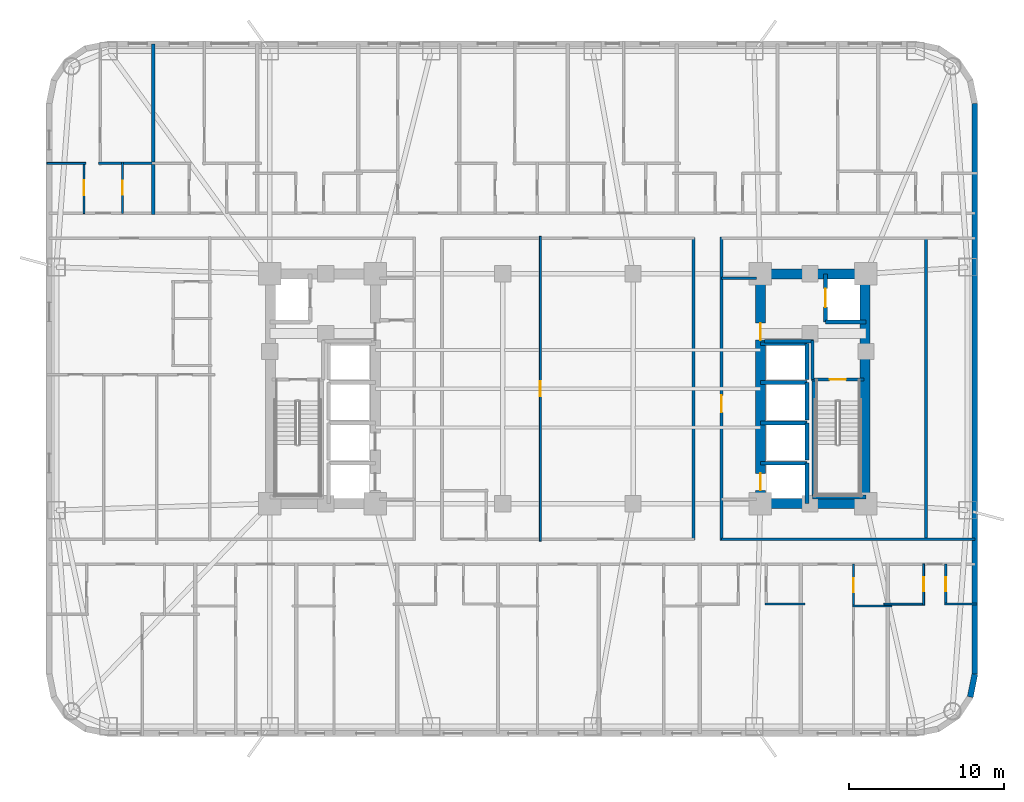
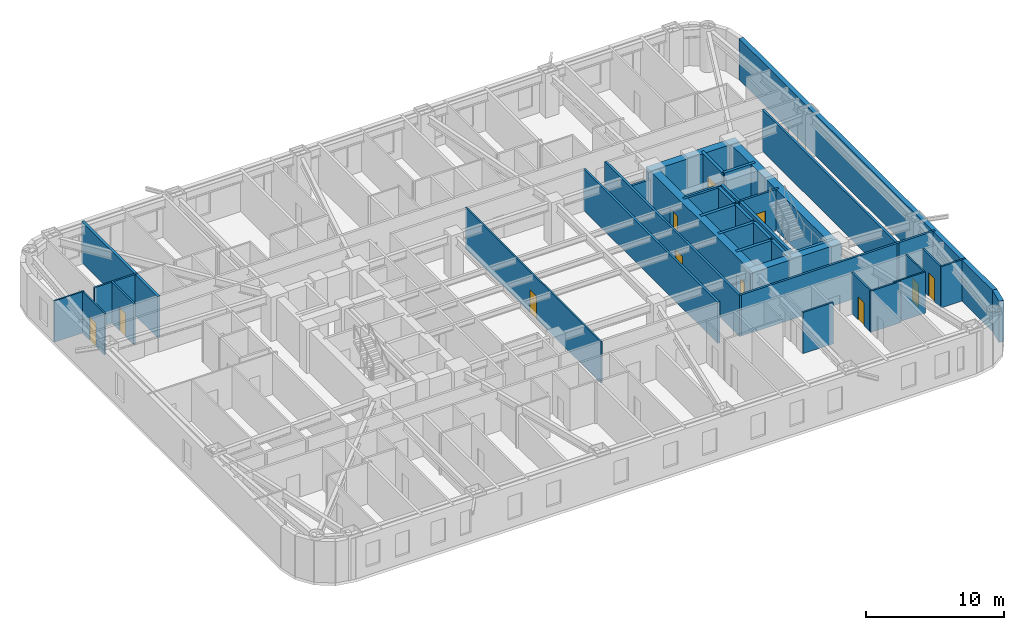
# One storey, part 6 of 11: 39 walls, 11 doors, 11 openings.
"""IFC4 building model written with IfcOpenShell, lengths in metres."""

from ifc_helpers import new_model, si_unit, direction, frame, frame_2d, origin, place, context, subcontext, project, spatial, rectangle, extrude, material, layer, layer_set, type_object, element, fill, save


model = new_model("IFC4")

# Units and contexts
model_context = context("Model", 3, precision=1e-05, world=origin(), true_north=direction((0.0, 1.0)))
body_context = subcontext(model_context, "Body", "Model", "MODEL_VIEW")
ifc_project = project(units=[si_unit("LENGTHUNIT", "METRE"), si_unit("AREAUNIT", "SQUARE_METRE"), si_unit("VOLUMEUNIT", "CUBIC_METRE"), si_unit("PLANEANGLEUNIT", "RADIAN"), si_unit("MASSUNIT", "GRAM", prefix="KILO")], contexts=[model_context])

# Site, building, storey
site_placement = place(None, origin())
site = spatial("IfcSite", under=ifc_project, at=site_placement, CompositionType="ELEMENT")
building_placement = place(site_placement, origin())
building = spatial("IfcBuilding", under=site, at=building_placement, Name="Voryun Gate Residences", CompositionType="ELEMENT")
storey_placement = place(building_placement, frame((0.0, 0.0, 49.39990234375)))
storey = spatial("IfcBuildingStorey", under=building, at=storey_placement, Name="L11", CompositionType="ELEMENT", Elevation=49.39990234375)

# Walls
ifc_material_1 = material(Name="Concrete C60/75", Category="concrete")
ifc_layer_1 = layer(ifc_material_1, 0.64990234375, Name="CW_CORE_650")
ifc_layer_set_1 = layer_set([ifc_layer_1], Name="Concrete C60/75")
wall_type_1 = type_object("IfcWallType", Name="CW_CORE_650", PredefinedType="SHEAR", material=ifc_layer_set_1)
for number, where, z_axis, x_axis, name in (
    (1, (12.074951171875, -7.39990234375, 0.0), (0.0, 0.0, 1.0), (1.0, 0.0, 0.0), "L11 Core shear wall CW-L11-ES"),
    (2, (12.074951171875, 7.39990234375, 0.0), (0.0, 0.0, 1.0), (1.0, 0.0, 0.0), "L11 Core shear wall CW-L11-EN"),
):
    element("IfcWall", number, at=place(storey_placement, frame(where, z_axis=z_axis, x_axis=x_axis)), inside=storey, type_object=wall_type_1, Name=name, PredefinedType="SHEAR", context=body_context, shape_type="SweptSolid", body=[
        extrude(rectangle(XDim=7.449951171875, YDim=0.64990234375, at=frame_2d((3.72509765625, 0.0))), origin(), (0.0, 0.0, 1.0), 3.650146484375),
    ])

# Wall, openings, doors
wall_1_placement = place(storey_placement, frame((12.39990234375, -7.39990234375, 0.0), z_axis=(0.0, 0.0, 1.0), x_axis=(0.0, 1.0, 0.0)))
wall_1 = element("IfcWall", 3, at=wall_1_placement, inside=storey, type_object=wall_type_1, Name="L11 Core shear wall CW-L11-EW", PredefinedType="SHEAR", context=body_context, shape_type="SweptSolid", body=[
    extrude(rectangle(XDim=14.7998046875, YDim=0.64990234375, at=frame_2d((7.39990234375, 0.0))), origin(), (0.0, 0.0, 1.0), 3.650146484375),
])
opening_1_placement = place(wall_1_placement, frame((0.85009765625, 0.0, 0.0)))
opening_1 = element("IfcOpeningElement", 4, at=opening_1_placement, cuts=wall_1, Name="Opening LD2", PredefinedType="OPENING", context=body_context, shape_type="SweptSolid", body=[
    extrude(rectangle(XDim=1.10009765625, YDim=2.050048828125, at=frame_2d((0.550048828125, 1.02490234375))), frame((0.0, 0.3349609375, 0.0), z_axis=(0.0, -1.0, 0.0), x_axis=(1.0, 0.0, 0.0)), (0.0, 0.0, 1.0), 0.669921875),
])
opening_2_placement = place(wall_1_placement, frame((10.530029296875, 0.0, 0.0)))
opening_2 = element("IfcOpeningElement", 5, at=opening_2_placement, cuts=wall_1, Name="Opening D-FD60-2", PredefinedType="OPENING", context=body_context, shape_type="SweptSolid", body=[
    extrude(rectangle(XDim=1.10009765625, YDim=2.050048828125, at=frame_2d((0.550048828125, 1.02490234375))), frame((0.0, 0.3349609375, 0.0), z_axis=(0.0, -1.0, 0.0), x_axis=(1.0, 0.0, 0.0)), (0.0, 0.0, 1.0), 0.669921875),
])
ifc_material_2 = material(Name="Painted steel fire door", Category="steel")
door_type_1 = type_object("IfcDoorType", Name="DR_FD60_FFLOB_1100", OperationType="NOTDEFINED", PredefinedType="DOOR", material=ifc_material_2)
door_1_placement = place(opening_2_placement, origin())
door_1 = element("IfcDoor", 6, at=door_1_placement, inside=storey, type_object=door_type_1, Name="Door DR-L11-CLOB-E", OperationType="SINGLE_SWING_RIGHT", OverallHeight=2.050048828125, OverallWidth=1.10009765625, PredefinedType="DOOR", context=body_context, shape_type="SweptSolid", body=[
    extrude(rectangle(XDim=1.10009765625, YDim=2.050048828125, at=frame_2d((0.550048828125, 1.02490234375))), frame((0.0, 0.02490234375, 0.0), z_axis=(0.0, -1.0, 0.0), x_axis=(1.0, 0.0, 0.0)), (0.0, 0.0, 1.0), 0.050048828125),
])
fill(opening_2, door_1)
ifc_material_3 = material(Name="Anodised aluminium", Category="aluminium")
door_type_2 = type_object("IfcDoorType", Name="DR_LD_PASS_1100", OperationType="NOTDEFINED", PredefinedType="DOOR", material=ifc_material_3)
door_2_placement = place(opening_1_placement, origin())
door_2 = element("IfcDoor", 7, at=door_2_placement, inside=storey, type_object=door_type_2, Name="Lift EL-P3 sliding landing door L11", OperationType="SLIDING_TO_LEFT", OverallHeight=2.050048828125, OverallWidth=1.10009765625, PredefinedType="DOOR", context=body_context, shape_type="SweptSolid", body=[
    extrude(rectangle(XDim=1.10009765625, YDim=2.050048828125, at=frame_2d((0.550048828125, 1.02490234375))), frame((0.0, 0.02490234375, 0.0), z_axis=(0.0, -1.0, 0.0), x_axis=(1.0, 0.0, 0.0)), (0.0, 0.0, 1.0), 0.050048828125),
])
fill(opening_1, door_2)

# Wall
wall_2_placement = place(storey_placement, frame((19.14501953125, -7.39990234375, 0.0), z_axis=(0.0, 0.0, 1.0), x_axis=(0.0, 1.0, 0.0)))
element("IfcWall", 8, at=wall_2_placement, inside=storey, type_object=wall_type_1, Name="L11 Core shear wall CW-L11-EE", PredefinedType="SHEAR", context=body_context, shape_type="SweptSolid", body=[
    extrude(rectangle(XDim=14.7998046875, YDim=0.64990234375, at=frame_2d((7.39990234375, 0.0))), origin(), (0.0, 0.0, 1.0), 3.650146484375),
])

# Wall, opening, door
ifc_material_4 = material(Name="Gypsum acoustic fireboard")
ifc_layer_2 = layer(ifc_material_4, 0.179931640625, Name="W_CORR_RATED_180")
ifc_layer_set_2 = layer_set([ifc_layer_2], Name="Gypsum acoustic fireboard")
wall_type_2 = type_object("IfcWallType", Name="W_CORR_RATED_180", PredefinedType="PARTITIONING", material=ifc_layer_set_2)
wall_3_placement = place(storey_placement, frame((15.699951171875, 0.60009765625, 0.0), z_axis=(0.0, 0.0, 1.0), x_axis=(1.0, 0.0, 0.0)))
wall_3 = element("IfcWall", 9, at=wall_3_placement, inside=storey, type_object=wall_type_2, Name="Partition wall WP-L11-STV-E", PredefinedType="PARTITIONING", context=body_context, shape_type="SweptSolid", body=[
    extrude(rectangle(XDim=3.360107421875, YDim=0.179931640625, at=frame_2d((1.68017578125, 0.0))), origin(), (0.0, 0.0, 1.0), 3.650146484375),
])
opening_3_placement = place(wall_3_placement, frame((1.155029296875, 0.0, 0.0)))
opening_3 = element("IfcOpeningElement", 10, at=opening_3_placement, cuts=wall_3, Name="Opening D-FD60-1", PredefinedType="OPENING", context=body_context, shape_type="SweptSolid", body=[
    extrude(rectangle(XDim=1.050048828125, YDim=2.050048828125, at=frame_2d((0.52490234375, 1.02490234375))), frame((0.0, 0.099853515625, 0.0), z_axis=(0.0, -1.0, 0.0), x_axis=(1.0, 0.0, 0.0)), (0.0, 0.0, 1.0), 0.199951171875),
])
ifc_material_5 = material(Name="Painted steel fire door", Category="steel")
door_type_3 = type_object("IfcDoorType", Name="DR_FD60_STAIR_1050", OperationType="NOTDEFINED", PredefinedType="DOOR", material=ifc_material_5)
door_3_placement = place(opening_3_placement, origin())
door_3 = element("IfcDoor", 11, at=door_3_placement, inside=storey, type_object=door_type_3, Name="Door DR-L11-ST-E", OperationType="SINGLE_SWING_RIGHT", OverallHeight=2.050048828125, OverallWidth=1.050048828125, PredefinedType="DOOR", context=body_context, shape_type="SweptSolid", body=[
    extrude(rectangle(XDim=1.050048828125, YDim=2.050048828125, at=frame_2d((0.52490234375, 1.02490234375))), frame((0.0, 0.02490234375, 0.0), z_axis=(0.0, -1.0, 0.0), x_axis=(1.0, 0.0, 0.0)), (0.0, 0.0, 1.0), 0.050048828125),
])
fill(opening_3, door_3)

# Wall
wall_4_placement = place(storey_placement, frame((9.8798828125, 7.1201171875, 0.0), z_axis=(0.0, 0.0, 1.0), x_axis=(1.0, 0.0, 0.0)))
element("IfcWall", 12, at=wall_4_placement, inside=storey, type_object=wall_type_2, Name="Partition wall WP-L11-PLBN-E", PredefinedType="PARTITIONING", context=body_context, shape_type="SweptSolid", body=[
    extrude(rectangle(XDim=2.27001953125, YDim=0.179931640625, at=frame_2d((1.135009765625, 0.0))), origin(), (0.0, 0.0, 1.0), 2.940185546875),
])

# Wall, opening, door
wall_5_placement = place(storey_placement, frame((9.89990234375, -9.780029296875, 0.0), z_axis=(0.0, 0.0, 1.0), x_axis=(0.0, 1.0, 0.0)))
wall_5 = element("IfcWall", 13, at=wall_5_placement, inside=storey, type_object=wall_type_2, Name="Partition wall WP-L11-PLBE-FULL", PredefinedType="PARTITIONING", context=body_context, shape_type="SweptSolid", body=[
    extrude(rectangle(XDim=19.56005859375, YDim=0.179931640625, at=frame_2d((9.780029296875, 0.0))), origin(), (0.0, 0.0, 1.0), 3.650146484375),
])
opening_4_placement = place(wall_5_placement, frame((8.251953125, 0.0, 0.0)))
opening_4 = element("IfcOpeningElement", 14, at=opening_4_placement, cuts=wall_5, Name="Opening D-FD60-2", PredefinedType="OPENING", context=body_context, shape_type="SweptSolid", body=[
    extrude(rectangle(XDim=1.10009765625, YDim=2.050048828125, at=frame_2d((0.550048828125, 1.02490234375))), frame((0.0, 0.099853515625, 0.0), z_axis=(0.0, -1.0, 0.0), x_axis=(1.0, 0.0, 0.0)), (0.0, 0.0, 1.0), 0.199951171875),
])
door_4_placement = place(opening_4_placement, origin())
door_4 = element("IfcDoor", 15, at=door_4_placement, inside=storey, type_object=door_type_1, Name="Door DR-L11-PLBE-COR", OperationType="SINGLE_SWING_RIGHT", OverallHeight=2.050048828125, OverallWidth=1.10009765625, PredefinedType="DOOR", context=body_context, shape_type="SweptSolid", body=[
    extrude(rectangle(XDim=1.10009765625, YDim=2.050048828125, at=frame_2d((0.550048828125, 1.02490234375))), frame((0.0, 0.02490234375, 0.0), z_axis=(0.0, -1.0, 0.0), x_axis=(1.0, 0.0, 0.0)), (0.0, 0.0, 1.0), 0.050048828125),
])
fill(opening_4, door_4)

# Walls
wall_6_placement = place(storey_placement, frame((9.8798828125, -9.68994140625, 0.0), z_axis=(0.0, 0.0, 1.0), x_axis=(1.0, 0.0, 0.0)))
element("IfcWall", 16, at=wall_6_placement, inside=storey, type_object=wall_type_2, Name="Partition wall WP-L11-CWING-ES", PredefinedType="PARTITIONING", context=body_context, shape_type="SweptSolid", body=[
    extrude(rectangle(XDim=16.330078125, YDim=0.179931640625, at=frame_2d((8.1650390625, 0.0))), origin(), (0.0, 0.0, 1.0), 3.650146484375),
])
wall_7_placement = place(storey_placement, frame((8.10009765625, -9.72998046875, 0.0), z_axis=(0.0, 0.0, 1.0), x_axis=(0.0, 1.0, 0.0)))
element("IfcWall", 17, at=wall_7_placement, inside=storey, type_object=wall_type_2, Name="Partition wall WP-L11-Z1E", PredefinedType="PARTITIONING", context=body_context, shape_type="SweptSolid", body=[
    extrude(rectangle(XDim=19.4599609375, YDim=0.179931640625, at=frame_2d((9.72998046875, 0.0))), origin(), (0.0, 0.0, 1.0), 3.650146484375),
])
wall_8_placement = place(storey_placement, frame((23.070068359375, -9.780029296875, 0.0), z_axis=(0.0, 0.0, 1.0), x_axis=(0.0, 1.0, 0.0)))
element("IfcWall", 18, at=wall_8_placement, inside=storey, type_object=wall_type_2, Name="Partition wall WP-L11-EEND", PredefinedType="PARTITIONING", context=body_context, shape_type="SweptSolid", body=[
    extrude(rectangle(XDim=19.56005859375, YDim=0.179931640625, at=frame_2d((9.780029296875, 0.0))), origin(), (0.0, 0.0, 1.0), 3.650146484375),
])
ifc_material_6 = material(Name="Granite masonry", Category="masonry")
ifc_layer_3 = layer(ifc_material_6, 0.3798828125, Name="W_EXT_GRANITE_380")
ifc_layer_set_3 = layer_set([ifc_layer_3], Name="Granite masonry")
wall_type_3 = type_object("IfcWallType", Name="W_EXT_GRANITE_380", PredefinedType="ELEMENTEDWALL", material=ifc_layer_set_3)
wall_9_placement = place(storey_placement, frame((26.2099609375, 18.38134765625, 0.0), z_axis=(0.0, 0.0, 1.0), x_axis=(0.0, -1.0, 0.0)))
element("IfcWall", 19, at=wall_9_placement, inside=storey, type_object=wall_type_3, Name="Exterior wall WEXT-L11-16", PredefinedType="ELEMENTEDWALL", context=body_context, shape_type="SweptSolid", body=[
    extrude(rectangle(XDim=36.7626953125, YDim=0.3798828125, at=frame_2d((18.38134765625, 0.0))), origin(), (0.0, 0.0, 1.0), 3.650146484375),
])
wall_10_placement = place(storey_placement, frame((26.2099609375, -18.38134765625, 0.0), z_axis=(0.0, 0.0, 1.0), x_axis=(-0.195086038585, -0.980786132421, 0.0)))
element("IfcWall", 20, at=wall_10_placement, inside=storey, type_object=wall_type_3, Name="Exterior wall WEXT-L11-17", PredefinedType="ELEMENTEDWALL", context=body_context, shape_type="SweptSolid", body=[
    extrude(rectangle(XDim=1.504150390625, YDim=0.3798828125, at=frame_2d((0.751953125, 0.0))), origin(), (0.0, 0.0, 1.0), 3.650146484375),
])
ifc_material_7 = material(Name="Concrete C40/50", Category="concrete")
ifc_layer_4 = layer(ifc_material_7, 0.199951171875, Name="W_FF_LOBBY_200")
ifc_layer_set_4 = layer_set([ifc_layer_4], Name="Concrete C40/50")
wall_type_4 = type_object("IfcWallType", Name="W_FF_LOBBY_200", PredefinedType="PARTITIONING", material=ifc_layer_set_4)
wall_11_placement = place(storey_placement, frame((15.760009765625, 0.580078125, 0.0), z_axis=(0.0, 0.0, 1.0), x_axis=(0.0, 1.0, 0.0)))
element("IfcWall", 21, at=wall_11_placement, inside=storey, type_object=wall_type_4, Name="Partition wall WP-L11-FFP0-E", PredefinedType="PARTITIONING", context=body_context, shape_type="SweptSolid", body=[
    extrude(rectangle(XDim=2.52001953125, YDim=0.199951171875, at=frame_2d((1.260009765625, 0.0))), origin(), (0.0, 0.0, 1.0), 3.650146484375),
])
wall_12_placement = place(storey_placement, frame((12.659912109375, 3.06005859375, 0.0), z_axis=(0.0, 0.0, 1.0), x_axis=(1.0, 0.0, 0.0)))
element("IfcWall", 22, at=wall_12_placement, inside=storey, type_object=wall_type_4, Name="Partition wall WP-L11-FFPS-E", PredefinedType="PARTITIONING", context=body_context, shape_type="SweptSolid", body=[
    extrude(rectangle(XDim=3.16015625, YDim=0.199951171875, at=frame_2d((1.580078125, 0.0))), origin(), (0.0, 0.0, 1.0), 3.650146484375),
])
ifc_material_8 = material(Name="Concrete C40/50", Category="concrete")
ifc_layer_5 = layer(ifc_material_8, 0.219970703125, Name="W_PARTY_ACOUSTIC_220")
ifc_layer_set_5 = layer_set([ifc_layer_5], Name="Concrete C40/50")
wall_type_5 = type_object("IfcWallType", Name="W_PARTY_ACOUSTIC_220", PredefinedType="PARTITIONING", material=ifc_layer_set_5)
wall_13_placement = place(storey_placement, frame((-26.708984375, 11.219970703125, 0.0), z_axis=(0.0, 0.0, 1.0), x_axis=(0.0, 1.0, 0.0)))
element("IfcWall", 23, at=wall_13_placement, inside=storey, type_object=wall_type_5, Name="Partition wall WP-L11-NPTY-1", PredefinedType="PARTITIONING", context=body_context, shape_type="SweptSolid", body=[
    extrude(rectangle(XDim=10.989990234375, YDim=0.219970703125, at=frame_2d((5.4951171875, 0.0))), origin(), (0.0, 0.0, 1.0), 3.650146484375),
])
ifc_material_9 = material(Name="Concrete C50/60", Category="concrete")
ifc_layer_6 = layer(ifc_material_9, 0.25, Name="W_SHAFT_RC250")
ifc_layer_set_6 = layer_set([ifc_layer_6], Name="Concrete C50/60")
wall_type_6 = type_object("IfcWallType", Name="W_SHAFT_RC250", PredefinedType="SOLIDWALL", material=ifc_layer_set_6)
wall_14_placement = place(storey_placement, frame((15.860107421875, -7.0849609375, 0.0), z_axis=(0.0, 0.0, 1.0), x_axis=(0.0, 1.0, 0.0)))
element("IfcWall", 24, at=wall_14_placement, inside=storey, type_object=wall_type_6, Name="L11 Stair shaft structural wall E-STL", PredefinedType="SOLIDWALL", context=body_context, shape_type="SweptSolid", body=[
    extrude(rectangle(XDim=7.68505859375, YDim=0.25, at=frame_2d((3.842529296875, 0.0))), origin(), (0.0, 0.0, 1.0), 3.650146484375),
])
wall_15_placement = place(storey_placement, frame((15.739990234375, -6.965087890625, 0.0), z_axis=(0.0, 0.0, 1.0), x_axis=(1.0, 0.0, 0.0)))
element("IfcWall", 25, at=wall_15_placement, inside=storey, type_object=wall_type_6, Name="L11 Stair shaft structural wall E-STS", PredefinedType="SOLIDWALL", context=body_context, shape_type="SweptSolid", body=[
    extrude(rectangle(XDim=3.4599609375, YDim=0.25, at=frame_2d((1.72998046875, 0.0))), origin(), (0.0, 0.0, 1.0), 3.650146484375),
])
wall_16_placement = place(storey_placement, frame((16.60009765625, 4.300048828125, 0.0), z_axis=(0.0, 0.0, 1.0), x_axis=(1.0, 0.0, 0.0)))
element("IfcWall", 26, at=wall_16_placement, inside=storey, type_object=wall_type_6, Name="Lift shaft wall WSH-L11-EL-FF-E1-S", PredefinedType="SOLIDWALL", context=body_context, shape_type="SweptSolid", body=[
    extrude(rectangle(XDim=2.599853515625, YDim=0.25, at=frame_2d((1.2998046875, 0.0))), origin(), (0.0, 0.0, 1.0), 3.650146484375),
])

# Wall, opening, door
wall_17_placement = place(storey_placement, frame((16.60009765625, 7.39990234375, 0.0), z_axis=(0.0, 0.0, 1.0), x_axis=(0.0, -1.0, 0.0)))
wall_17 = element("IfcWall", 27, at=wall_17_placement, inside=storey, type_object=wall_type_6, Name="Lift shaft wall WSH-L11-EL-FF-E1-W", PredefinedType="SOLIDWALL", context=body_context, shape_type="SweptSolid", body=[
    extrude(rectangle(XDim=3.099853515625, YDim=0.25, at=frame_2d((1.5498046875, 0.0))), origin(), (0.0, 0.0, 1.0), 3.650146484375),
])
opening_5_placement = place(wall_17_placement, frame((0.949951171875, 0.0, 0.0)))
opening_5 = element("IfcOpeningElement", 28, at=opening_5_placement, cuts=wall_17, Name="Opening LD1", PredefinedType="OPENING", context=body_context, shape_type="SweptSolid", body=[
    extrude(rectangle(XDim=1.199951171875, YDim=2.050048828125, at=frame_2d((0.60009765625, 1.02490234375))), frame((0.0, 0.135009765625, 0.0), z_axis=(0.0, -1.0, 0.0), x_axis=(1.0, 0.0, 0.0)), (0.0, 0.0, 1.0), 0.27001953125),
])
ifc_material_10 = material(Name="Anodised aluminium", Category="aluminium")
door_type_4 = type_object("IfcDoorType", Name="DR_LD_FF_1200", OperationType="NOTDEFINED", PredefinedType="DOOR", material=ifc_material_10)
door_5_placement = place(opening_5_placement, origin())
door_5 = element("IfcDoor", 29, at=door_5_placement, inside=storey, type_object=door_type_4, Name="Lift EL-FF-E1 sliding landing door L11", OperationType="SLIDING_TO_LEFT", OverallHeight=2.050048828125, OverallWidth=1.199951171875, PredefinedType="DOOR", context=body_context, shape_type="SweptSolid", body=[
    extrude(rectangle(XDim=1.199951171875, YDim=2.050048828125, at=frame_2d((0.60009765625, 1.02490234375))), frame((0.0, 0.02490234375, 0.0), z_axis=(0.0, -1.0, 0.0), x_axis=(1.0, 0.0, 0.0)), (0.0, 0.0, 1.0), 0.050048828125),
])
fill(opening_5, door_5)

# Walls
wall_18_placement = place(storey_placement, frame((15.39990234375, -7.39990234375, 0.0), z_axis=(0.0, 0.0, 1.0), x_axis=(0.0, 1.0, 0.0)))
element("IfcWall", 30, at=wall_18_placement, inside=storey, type_object=wall_type_6, Name="Lift shaft wall WSH-L11-EL-P3-E", PredefinedType="SOLIDWALL", context=body_context, shape_type="SweptSolid", body=[
    extrude(rectangle(XDim=2.599853515625, YDim=0.25, at=frame_2d((1.2998046875, 0.0))), origin(), (0.0, 0.0, 1.0), 3.650146484375),
])
wall_19_placement = place(storey_placement, frame((15.39990234375, -4.800048828125, 0.0), z_axis=(0.0, 0.0, 1.0), x_axis=(-1.0, 0.0, 0.0)))
element("IfcWall", 31, at=wall_19_placement, inside=storey, type_object=wall_type_6, Name="Lift shaft wall WSH-L11-EL-P3-N", PredefinedType="SOLIDWALL", context=body_context, shape_type="SweptSolid", body=[
    extrude(rectangle(XDim=3.0, YDim=0.25, at=frame_2d((1.5, 0.0))), origin(), (0.0, 0.0, 1.0), 3.650146484375),
])
wall_20_placement = place(storey_placement, frame((15.39990234375, -4.60009765625, 0.0), z_axis=(0.0, 0.0, 1.0), x_axis=(0.0, 1.0, 0.0)))
element("IfcWall", 32, at=wall_20_placement, inside=storey, type_object=wall_type_6, Name="Lift shaft wall WSH-L11-EL-P5-E", PredefinedType="SOLIDWALL", context=body_context, shape_type="SweptSolid", body=[
    extrude(rectangle(XDim=2.400146484375, YDim=0.25, at=frame_2d((1.2001953125, 0.0))), origin(), (0.0, 0.0, 1.0), 3.650146484375),
])
wall_21_placement = place(storey_placement, frame((15.39990234375, -2.199951171875, 0.0), z_axis=(0.0, 0.0, 1.0), x_axis=(-1.0, 0.0, 0.0)))
element("IfcWall", 33, at=wall_21_placement, inside=storey, type_object=wall_type_6, Name="Lift shaft wall WSH-L11-EL-P5-N", PredefinedType="SOLIDWALL", context=body_context, shape_type="SweptSolid", body=[
    extrude(rectangle(XDim=3.0, YDim=0.25, at=frame_2d((1.5, 0.0))), origin(), (0.0, 0.0, 1.0), 3.650146484375),
])
wall_22_placement = place(storey_placement, frame((15.39990234375, -2.0, 0.0), z_axis=(0.0, 0.0, 1.0), x_axis=(0.0, 1.0, 0.0)))
element("IfcWall", 34, at=wall_22_placement, inside=storey, type_object=wall_type_6, Name="Lift shaft wall WSH-L11-EL-P6-E", PredefinedType="SOLIDWALL", context=body_context, shape_type="SweptSolid", body=[
    extrude(rectangle(XDim=2.39990234375, YDim=0.25, at=frame_2d((1.199951171875, 0.0))), origin(), (0.0, 0.0, 1.0), 3.650146484375),
])
wall_23_placement = place(storey_placement, frame((15.39990234375, 0.39990234375, 0.0), z_axis=(0.0, 0.0, 1.0), x_axis=(-1.0, 0.0, 0.0)))
element("IfcWall", 35, at=wall_23_placement, inside=storey, type_object=wall_type_6, Name="Lift shaft wall WSH-L11-EL-P6-N", PredefinedType="SOLIDWALL", context=body_context, shape_type="SweptSolid", body=[
    extrude(rectangle(XDim=3.0, YDim=0.25, at=frame_2d((1.5, 0.0))), origin(), (0.0, 0.0, 1.0), 3.650146484375),
])
wall_24_placement = place(storey_placement, frame((15.39990234375, 0.60009765625, 0.0), z_axis=(0.0, 0.0, 1.0), x_axis=(0.0, 1.0, 0.0)))
element("IfcWall", 36, at=wall_24_placement, inside=storey, type_object=wall_type_6, Name="Lift shaft wall WSH-L11-EL-P8-E", PredefinedType="SOLIDWALL", context=body_context, shape_type="SweptSolid", body=[
    extrude(rectangle(XDim=2.2998046875, YDim=0.25, at=frame_2d((1.14990234375, 0.0))), origin(), (0.0, 0.0, 1.0), 3.650146484375),
])
wall_25_placement = place(storey_placement, frame((15.39990234375, 2.89990234375, 0.0), z_axis=(0.0, 0.0, 1.0), x_axis=(-1.0, 0.0, 0.0)))
element("IfcWall", 37, at=wall_25_placement, inside=storey, type_object=wall_type_6, Name="Lift shaft wall WSH-L11-EL-P8-N", PredefinedType="SOLIDWALL", context=body_context, shape_type="SweptSolid", body=[
    extrude(rectangle(XDim=3.0, YDim=0.25, at=frame_2d((1.5, 0.0))), origin(), (0.0, 0.0, 1.0), 3.650146484375),
])

# Wall, opening, door
ifc_material_11 = material(Name="Gypsum acoustic partition")
ifc_layer_7 = layer(ifc_material_11, 0.125, Name="W_UNIT_PART_125")
ifc_layer_set_7 = layer_set([ifc_layer_7], Name="Gypsum acoustic partition")
wall_type_7 = type_object("IfcWallType", Name="W_UNIT_PART_125", PredefinedType="PARTITIONING", material=ifc_layer_set_7)
wall_26_placement = place(storey_placement, frame((-1.77294921875, -9.820068359375, 0.0), z_axis=(0.0, 0.0, 1.0), x_axis=(0.0, 1.0, 0.0)))
wall_26 = element("IfcWall", 38, at=wall_26_placement, inside=storey, type_object=wall_type_7, Name="Partition wall WP-L11-MIDX-0", PredefinedType="PARTITIONING", context=body_context, shape_type="SweptSolid", body=[
    extrude(rectangle(XDim=19.64013671875, YDim=0.125, at=frame_2d((9.820068359375, 0.0))), origin(), (0.0, 0.0, 1.0), 3.650146484375),
])
opening_6_placement = place(wall_26_placement, frame((9.344970703125, 0.0, 0.0)))
opening_6 = element("IfcOpeningElement", 39, at=opening_6_placement, cuts=wall_26, Name="Opening D-INT-1", PredefinedType="OPENING", context=body_context, shape_type="SweptSolid", body=[
    extrude(rectangle(XDim=0.949951171875, YDim=2.050048828125, at=frame_2d((0.47509765625, 1.02490234375))), frame((0.0, 0.072509765625, 0.0), z_axis=(0.0, -1.0, 0.0), x_axis=(1.0, 0.0, 0.0)), (0.0, 0.0, 1.0), 0.14501953125),
])
ifc_material_12 = material(Name="Architectural oak veneer")
door_type_5 = type_object("IfcDoorType", Name="DR_INT_ROOM_950", OperationType="NOTDEFINED", PredefinedType="DOOR", material=ifc_material_12)
door_6_placement = place(opening_6_placement, origin())
door_6 = element("IfcDoor", 40, at=door_6_placement, inside=storey, type_object=door_type_5, Name="Door DR-L11-MIDX-0", OperationType="SINGLE_SWING_LEFT", OverallHeight=2.050048828125, OverallWidth=0.949951171875, PredefinedType="DOOR", context=body_context, shape_type="SweptSolid", body=[
    extrude(rectangle(XDim=0.949951171875, YDim=2.050048828125, at=frame_2d((0.47509765625, 1.02490234375))), frame((0.0, 0.02490234375, 0.0), z_axis=(0.0, -1.0, 0.0), x_axis=(1.0, 0.0, 0.0)), (0.0, 0.0, 1.0), 0.050048828125),
])
fill(opening_6, door_6)

wall_27_placement = place(storey_placement, frame((-31.16796875, 11.280029296875, 0.0), z_axis=(0.0, 0.0, 1.0), x_axis=(0.0, 1.0, 0.0)))
wall_27 = element("IfcWall", 41, at=wall_27_placement, inside=storey, type_object=wall_type_7, Name="Partition wall WP-L11-N1-IVK", PredefinedType="PARTITIONING", context=body_context, shape_type="SweptSolid", body=[
    extrude(rectangle(XDim=3.320068359375, YDim=0.125, at=frame_2d((1.66015625, 0.0))), origin(), (0.0, 0.0, 1.0), 3.650146484375),
])
opening_7_placement = place(wall_27_placement, frame((1.18505859375, 0.0, 0.0)))
opening_7 = element("IfcOpeningElement", 42, at=opening_7_placement, cuts=wall_27, Name="Opening D-INT-1", PredefinedType="OPENING", context=body_context, shape_type="SweptSolid", body=[
    extrude(rectangle(XDim=0.949951171875, YDim=2.050048828125, at=frame_2d((0.47509765625, 1.02490234375))), frame((0.0, 0.072509765625, 0.0), z_axis=(0.0, -1.0, 0.0), x_axis=(1.0, 0.0, 0.0)), (0.0, 0.0, 1.0), 0.14501953125),
])
door_7_placement = place(opening_7_placement, origin())
door_7 = element("IfcDoor", 43, at=door_7_placement, inside=storey, type_object=door_type_5, Name="Door DR-L11-N1-DK", OperationType="SINGLE_SWING_LEFT", OverallHeight=2.050048828125, OverallWidth=0.949951171875, PredefinedType="DOOR", context=body_context, shape_type="SweptSolid", body=[
    extrude(rectangle(XDim=0.949951171875, YDim=2.050048828125, at=frame_2d((0.47509765625, 1.02490234375))), frame((0.0, 0.02490234375, 0.0), z_axis=(0.0, -1.0, 0.0), x_axis=(1.0, 0.0, 0.0)), (0.0, 0.0, 1.0), 0.050048828125),
])
fill(opening_7, door_7)

# Wall
wall_28_placement = place(storey_placement, frame((-33.56005859375, 14.52001953125, 0.0), z_axis=(0.0, 0.0, 1.0), x_axis=(1.0, 0.0, 0.0)))
element("IfcWall", 44, at=wall_28_placement, inside=storey, type_object=wall_type_7, Name="Partition wall WP-L11-N1-HZK", PredefinedType="PARTITIONING", context=body_context, shape_type="SweptSolid", body=[
    extrude(rectangle(XDim=2.511962890625, YDim=0.125, at=frame_2d((1.255859375, 0.0))), origin(), (0.0, 0.0, 1.0), 3.650146484375),
])

# Wall, opening, door
wall_29_placement = place(storey_placement, frame((22.9189453125, -13.929931640625, 0.0), z_axis=(0.0, 0.0, 1.0), x_axis=(0.0, 1.0, 0.0)))
wall_29 = element("IfcWall", 45, at=wall_29_placement, inside=storey, type_object=wall_type_7, Name="Partition wall WP-L11-S9-CVK", PredefinedType="PARTITIONING", context=body_context, shape_type="SweptSolid", body=[
    extrude(rectangle(XDim=2.64990234375, YDim=0.125, at=frame_2d((1.324951171875, 0.0))), origin(), (0.0, 0.0, 1.0), 3.650146484375),
])
opening_8_placement = place(wall_29_placement, frame((0.875, 0.0, 0.0)))
opening_8 = element("IfcOpeningElement", 46, at=opening_8_placement, cuts=wall_29, Name="Opening D-INT-2", PredefinedType="OPENING", context=body_context, shape_type="SweptSolid", body=[
    extrude(rectangle(XDim=0.89990234375, YDim=2.050048828125, at=frame_2d((0.449951171875, 1.02490234375))), frame((0.0, 0.072509765625, 0.0), z_axis=(0.0, -1.0, 0.0), x_axis=(1.0, 0.0, 0.0)), (0.0, 0.0, 1.0), 0.14501953125),
])
ifc_material_13 = material(Name="Architectural oak veneer")
door_type_6 = type_object("IfcDoorType", Name="DR_INT_BATH_900", OperationType="NOTDEFINED", PredefinedType="DOOR", material=ifc_material_13)
door_8_placement = place(opening_8_placement, origin())
door_8 = element("IfcDoor", 47, at=door_8_placement, inside=storey, type_object=door_type_6, Name="Door DR-L11-S9-DK", OperationType="SINGLE_SWING_LEFT", OverallHeight=2.050048828125, OverallWidth=0.89990234375, PredefinedType="DOOR", context=body_context, shape_type="SweptSolid", body=[
    extrude(rectangle(XDim=0.89990234375, YDim=2.050048828125, at=frame_2d((0.449951171875, 1.02490234375))), frame((0.0, 0.02490234375, 0.0), z_axis=(0.0, -1.0, 0.0), x_axis=(1.0, 0.0, 0.0)), (0.0, 0.0, 1.0), 0.050048828125),
])
fill(opening_8, door_8)

# Walls
wall_30_placement = place(storey_placement, frame((20.34912109375, -13.8701171875, 0.0), z_axis=(0.0, 0.0, 1.0), x_axis=(1.0, 0.0, 0.0)))
element("IfcWall", 48, at=wall_30_placement, inside=storey, type_object=wall_type_7, Name="Partition wall WP-L11-S9-CHK", PredefinedType="PARTITIONING", context=body_context, shape_type="SweptSolid", body=[
    extrude(rectangle(XDim=2.6298828125, YDim=0.125, at=frame_2d((1.31494140625, 0.0))), origin(), (0.0, 0.0, 1.0), 3.650146484375),
])
ifc_material_14 = material(Name="Gypsum moisture-resistant partition")
ifc_layer_8 = layer(ifc_material_14, 0.14990234375, Name="W_WET_PLUMB_150")
ifc_layer_set_8 = layer_set([ifc_layer_8], Name="Gypsum moisture-resistant partition")
wall_type_8 = type_object("IfcWallType", Name="W_WET_PLUMB_150", PredefinedType="PLUMBINGWALL", material=ifc_layer_set_8)
wall_31_placement = place(storey_placement, frame((-30.239013671875, 14.52001953125, 0.0), z_axis=(0.0, 0.0, 1.0), x_axis=(1.0, 0.0, 0.0)))
element("IfcWall", 49, at=wall_31_placement, inside=storey, type_object=wall_type_8, Name="Partition wall WP-L11-N1-HZB", PredefinedType="PLUMBINGWALL", context=body_context, shape_type="SweptSolid", body=[
    extrude(rectangle(XDim=3.60498046875, YDim=0.14990234375, at=frame_2d((1.802490234375, 0.0))), origin(), (0.0, 0.0, 1.0), 3.650146484375),
])

# Wall, opening, door
wall_32_placement = place(storey_placement, frame((-28.68896484375, 11.280029296875, 0.0), z_axis=(0.0, 0.0, 1.0), x_axis=(0.0, 1.0, 0.0)))
wall_32 = element("IfcWall", 50, at=wall_32_placement, inside=storey, type_object=wall_type_8, Name="Partition wall WP-L11-N1-IVB", PredefinedType="PLUMBINGWALL", context=body_context, shape_type="SweptSolid", body=[
    extrude(rectangle(XDim=3.320068359375, YDim=0.14990234375, at=frame_2d((1.66015625, 0.0))), origin(), (0.0, 0.0, 1.0), 3.650146484375),
])
opening_9_placement = place(wall_32_placement, frame((1.2099609375, 0.0, 0.0)))
opening_9 = element("IfcOpeningElement", 51, at=opening_9_placement, cuts=wall_32, Name="Opening D-INT-2", PredefinedType="OPENING", context=body_context, shape_type="SweptSolid", body=[
    extrude(rectangle(XDim=0.89990234375, YDim=2.050048828125, at=frame_2d((0.449951171875, 1.02490234375))), frame((0.0, 0.0849609375, 0.0), z_axis=(0.0, -1.0, 0.0), x_axis=(1.0, 0.0, 0.0)), (0.0, 0.0, 1.0), 0.169921875),
])
door_9_placement = place(opening_9_placement, origin())
door_9 = element("IfcDoor", 52, at=door_9_placement, inside=storey, type_object=door_type_6, Name="Door DR-L11-N1-DB", OperationType="SINGLE_SWING_RIGHT", OverallHeight=2.050048828125, OverallWidth=0.89990234375, PredefinedType="DOOR", context=body_context, shape_type="SweptSolid", body=[
    extrude(rectangle(XDim=0.89990234375, YDim=2.050048828125, at=frame_2d((0.449951171875, 1.02490234375))), frame((0.0, 0.02490234375, 0.0), z_axis=(0.0, -1.0, 0.0), x_axis=(1.0, 0.0, 0.0)), (0.0, 0.0, 1.0), 0.050048828125),
])
fill(opening_9, door_9)

# Walls
wall_33_placement = place(storey_placement, frame((12.7109375, -13.8701171875, 0.0), z_axis=(0.0, 0.0, 1.0), x_axis=(1.0, 0.0, 0.0)))
element("IfcWall", 53, at=wall_33_placement, inside=storey, type_object=wall_type_8, Name="Partition wall WP-L11-S7-CHB", PredefinedType="PLUMBINGWALL", context=body_context, shape_type="SweptSolid", body=[
    extrude(rectangle(XDim=2.549072265625, YDim=0.14990234375, at=frame_2d((1.2744140625, 0.0))), origin(), (0.0, 0.0, 1.0), 3.650146484375),
])
wall_34_placement = place(storey_placement, frame((18.319091796875, -14.0, 0.0), z_axis=(0.0, 0.0, 1.0), x_axis=(1.0, 0.0, 0.0)))
element("IfcWall", 54, at=wall_34_placement, inside=storey, type_object=wall_type_8, Name="Partition wall WP-L11-S8-SKB", PredefinedType="PLUMBINGWALL", context=body_context, shape_type="SweptSolid", body=[
    extrude(rectangle(XDim=2.5498046875, YDim=0.14990234375, at=frame_2d((1.27490234375, 0.0))), origin(), (0.0, 0.0, 1.0), 3.650146484375),
])

# Wall, opening, door
wall_35_placement = place(storey_placement, frame((18.39892578125, -14.0400390625, 0.0), z_axis=(0.0, 0.0, 1.0), x_axis=(0.0, 1.0, 0.0)))
wall_35 = element("IfcWall", 55, at=wall_35_placement, inside=storey, type_object=wall_type_8, Name="Partition wall WP-L11-S8-SVT2", PredefinedType="PLUMBINGWALL", context=body_context, shape_type="SweptSolid", body=[
    extrude(rectangle(XDim=2.760009765625, YDim=0.14990234375, at=frame_2d((1.3798828125, 0.0))), origin(), (0.0, 0.0, 1.0), 3.650146484375),
])
opening_10_placement = place(wall_35_placement, frame((0.929931640625, 0.0, 0.0)))
opening_10 = element("IfcOpeningElement", 56, at=opening_10_placement, cuts=wall_35, Name="Opening D-INT-2", PredefinedType="OPENING", context=body_context, shape_type="SweptSolid", body=[
    extrude(rectangle(XDim=0.89990234375, YDim=2.050048828125, at=frame_2d((0.449951171875, 1.02490234375))), frame((0.0, 0.0849609375, 0.0), z_axis=(0.0, -1.0, 0.0), x_axis=(1.0, 0.0, 0.0)), (0.0, 0.0, 1.0), 0.169921875),
])
door_10_placement = place(opening_10_placement, origin())
door_10 = element("IfcDoor", 57, at=door_10_placement, inside=storey, type_object=door_type_6, Name="Door DR-L11-S8-DB", OperationType="SINGLE_SWING_RIGHT", OverallHeight=2.050048828125, OverallWidth=0.89990234375, PredefinedType="DOOR", context=body_context, shape_type="SweptSolid", body=[
    extrude(rectangle(XDim=0.89990234375, YDim=2.050048828125, at=frame_2d((0.449951171875, 1.02490234375))), frame((0.0, 0.02490234375, 0.0), z_axis=(0.0, -1.0, 0.0), x_axis=(1.0, 0.0, 0.0)), (0.0, 0.0, 1.0), 0.050048828125),
])
fill(opening_10, door_10)

wall_36_placement = place(storey_placement, frame((24.3310546875, -13.929931640625, 0.0), z_axis=(0.0, 0.0, 1.0), x_axis=(0.0, 1.0, 0.0)))
wall_36 = element("IfcWall", 58, at=wall_36_placement, inside=storey, type_object=wall_type_8, Name="Partition wall WP-L11-S9-CVB", PredefinedType="PLUMBINGWALL", context=body_context, shape_type="SweptSolid", body=[
    extrude(rectangle(XDim=2.64990234375, YDim=0.14990234375, at=frame_2d((1.324951171875, 0.0))), origin(), (0.0, 0.0, 1.0), 3.650146484375),
])
opening_11_placement = place(wall_36_placement, frame((0.875, 0.0, 0.0)))
opening_11 = element("IfcOpeningElement", 59, at=opening_11_placement, cuts=wall_36, Name="Opening D-INT-2", PredefinedType="OPENING", context=body_context, shape_type="SweptSolid", body=[
    extrude(rectangle(XDim=0.89990234375, YDim=2.050048828125, at=frame_2d((0.449951171875, 1.02490234375))), frame((0.0, 0.0849609375, 0.0), z_axis=(0.0, -1.0, 0.0), x_axis=(1.0, 0.0, 0.0)), (0.0, 0.0, 1.0), 0.169921875),
])
door_11_placement = place(opening_11_placement, origin())
door_11 = element("IfcDoor", 60, at=door_11_placement, inside=storey, type_object=door_type_6, Name="Door DR-L11-S9-DB", OperationType="SINGLE_SWING_RIGHT", OverallHeight=2.050048828125, OverallWidth=0.89990234375, PredefinedType="DOOR", context=body_context, shape_type="SweptSolid", body=[
    extrude(rectangle(XDim=0.89990234375, YDim=2.050048828125, at=frame_2d((0.449951171875, 1.02490234375))), frame((0.0, 0.02490234375, 0.0), z_axis=(0.0, -1.0, 0.0), x_axis=(1.0, 0.0, 0.0)), (0.0, 0.0, 1.0), 0.050048828125),
])
fill(opening_11, door_11)

# Wall
wall_37_placement = place(storey_placement, frame((24.27099609375, -13.8701171875, 0.0), z_axis=(0.0, 0.0, 1.0), x_axis=(1.0, 0.0, 0.0)))
element("IfcWall", 61, at=wall_37_placement, inside=storey, type_object=wall_type_8, Name="Partition wall WP-L11-S9-CHB", PredefinedType="PLUMBINGWALL", context=body_context, shape_type="SweptSolid", body=[
    extrude(rectangle(XDim=2.089111328125, YDim=0.14990234375, at=frame_2d((1.04443359375, 0.0))), origin(), (0.0, 0.0, 1.0), 3.650146484375),
])

save(model, "model.ifc")
